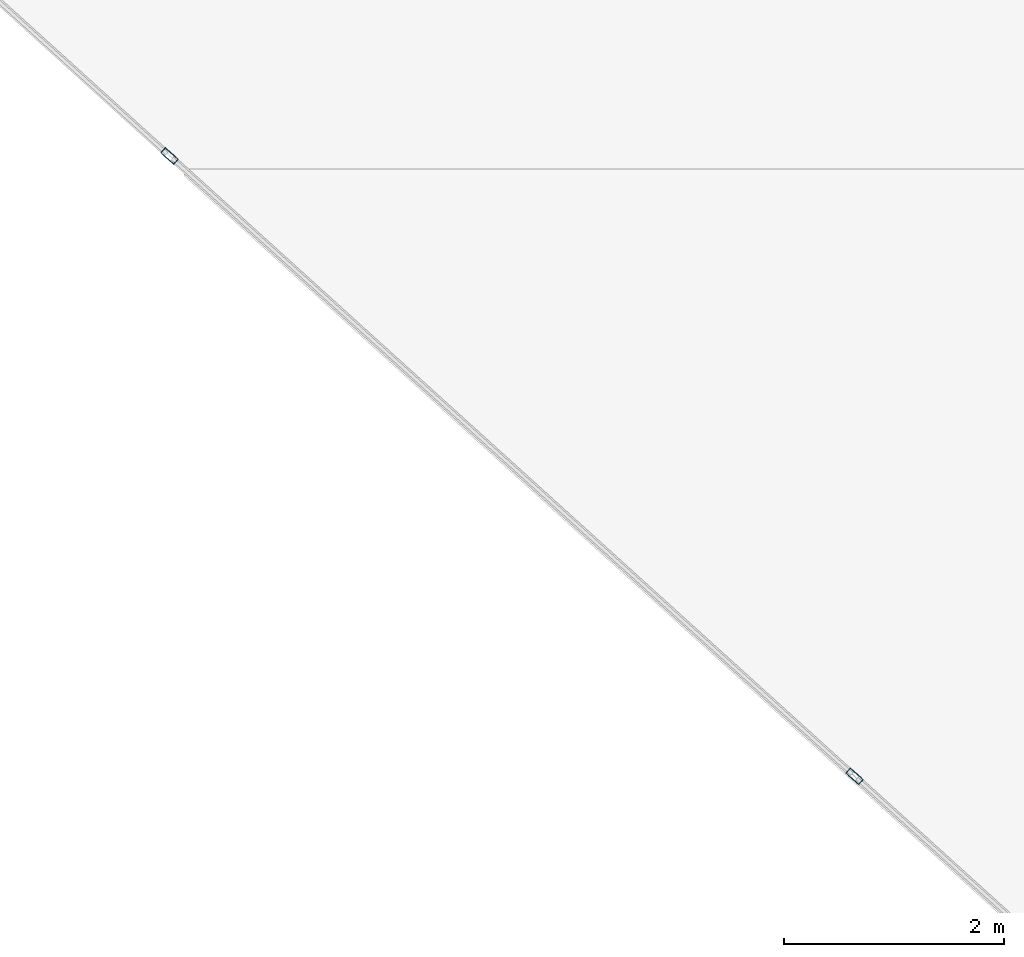
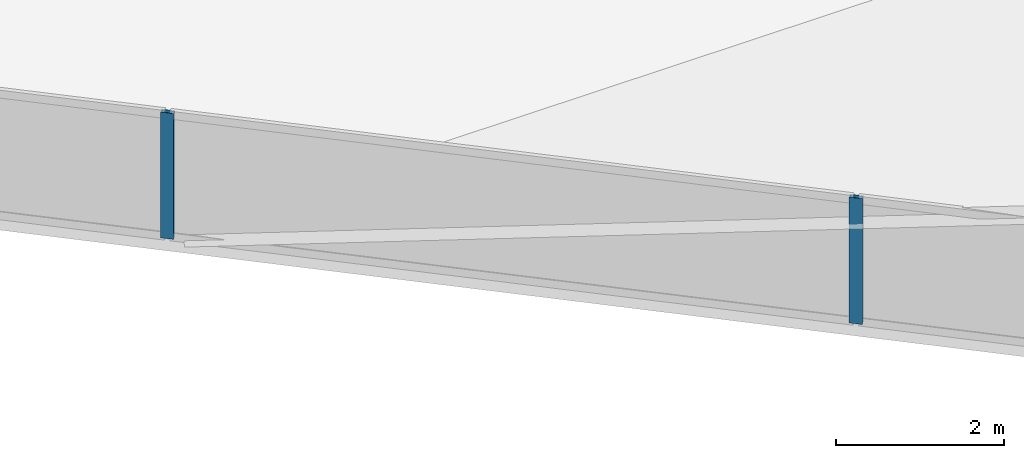
# One storey, part 3 of 13: 2 members, 1 element without a shape of its own.
"""IFC4 building model written with IfcOpenShell, lengths in metres."""

import ifcopenshell
import ifcopenshell.guid

model = None  # the IFC model being written
_history = None  # IfcOwnerHistory: only IFC2X3 demands one
_inside = {}  # id of a spatial element -> (the spatial element, [elements in it])
_under = {}  # id of a project, library or spatial element -> (it, [spatial elements below it])
_declared = {}  # id of a project -> (the project, [libraries it declares])
_typed = {}  # id of a type object -> (the type object, [elements of that type])
_made_of = {}  # id of a material, layer set ... -> (it, [elements and type objects made of it])


def new_model(schema):
    """Start an empty IFC model of exactly this schema.

    Asked for "IFC4X3", IfcOpenShell would pick the latest addendum, in which some entities
    have other attributes; the version numbers below select the first issue.
    IFC2X3 requires an IfcOwnerHistory on every rooted entity: one is made here for all.
    """
    global model, _history
    if schema == "IFC4X3":
        model = ifcopenshell.file(schema_version=(4, 3, 0, 0))
    else:
        model = ifcopenshell.file(schema=schema)
    _inside.clear()
    _under.clear()
    _declared.clear()
    _typed.clear()
    _made_of.clear()
    _history = None
    if model.schema == "IFC2X3":
        org = make("IfcOrganization", Name="unknown")
        user = make(
            "IfcPersonAndOrganization",
            ThePerson=make("IfcPerson", FamilyName="unknown"),
            TheOrganization=org,
        )
        app = make(
            "IfcApplication",
            ApplicationDeveloper=org,
            Version="unknown",
            ApplicationFullName="unknown",
            ApplicationIdentifier="unknown",
        )
        _history = make(
            "IfcOwnerHistory",
            OwningUser=user,
            OwningApplication=app,
            ChangeAction="ADDED",
            CreationDate=0,
        )
    return model


def make(cls, **values):
    """One entity of the class cls with the attributes given. An attribute that is None is left unset."""
    return model.create_entity(
        cls, **{name: value for name, value in values.items() if value is not None}
    )


def rooted(cls, **values):
    """An entity with a GlobalId (a new one), such as an element, a storey or a relation."""
    return make(cls, GlobalId=ifcopenshell.guid.new(), OwnerHistory=_history, **values)


def si_unit(unit_type, name, prefix=None):
    """IfcSIUnit, for example si_unit("LENGTHUNIT", "METRE", prefix="MILLI")."""
    return make("IfcSIUnit", UnitType=unit_type, Prefix=prefix, Name=name)


def assignment(units):
    """IfcUnitAssignment: the units of a project."""
    return None if units is None else make("IfcUnitAssignment", Units=units)


def point(xyz):
    """IfcCartesianPoint."""
    return None if xyz is None else make("IfcCartesianPoint", Coordinates=xyz)


def direction(xyz):
    """IfcDirection."""
    return None if xyz is None else make("IfcDirection", DirectionRatios=xyz)


def frame(location, z_axis=None, x_axis=None):
    """IfcAxis2Placement3D, a coordinate frame: its origin and axes. An axis left out is left unset."""
    return make(
        "IfcAxis2Placement3D",
        Location=point(location),
        Axis=direction(z_axis),
        RefDirection=direction(x_axis),
    )


def frame_2d(location, x_axis=None):
    """IfcAxis2Placement2D, a coordinate frame in the plane: its origin and x axis."""
    return make(
        "IfcAxis2Placement2D", Location=point(location), RefDirection=direction(x_axis)
    )


def origin():
    """The frame at (0, 0, 0) with its axes left unset."""
    return frame((0.0, 0.0, 0.0))


def origin_2d():
    """The frame at (0, 0) in the plane with its x axis left unset."""
    return frame_2d((0.0, 0.0))


def place(relative_to, where):
    """IfcLocalPlacement: puts the frame where relative to a parent placement (None: the world)."""
    return make(
        "IfcLocalPlacement", PlacementRelTo=relative_to, RelativePlacement=where
    )


def context(
    kind, dimensions, precision=None, world=None, true_north=None, identifier=None
):
    """IfcGeometricRepresentationContext, for example the 3D "Model" context."""
    return make(
        "IfcGeometricRepresentationContext",
        ContextIdentifier=identifier,
        ContextType=kind,
        CoordinateSpaceDimension=dimensions,
        Precision=precision,
        WorldCoordinateSystem=world,
        TrueNorth=true_north,
    )


def subcontext(parent, identifier, kind, view, scale=None):
    """IfcGeometricRepresentationSubContext, for example "Body" below "Model"."""
    return make(
        "IfcGeometricRepresentationSubContext",
        ContextIdentifier=identifier,
        ContextType=kind,
        ParentContext=parent,
        TargetScale=scale,
        TargetView=view,
    )


def project(units=None, contexts=None):
    """IfcProject with its units and contexts."""
    return rooted(
        "IfcProject",
        Name="project",
        RepresentationContexts=contexts,
        UnitsInContext=assignment(units),
    )


def spatial(cls, under=None, at=None, **own):
    """A site, building, storey or space (cls), placed at a placement, below another one or the project."""
    s = rooted(cls, ObjectPlacement=at, **own)
    if under is not None:
        _under.setdefault(under.id(), (under, []))[1].append(s)
    return s


def profile(cls, at=None, kind="AREA", **sizes):
    """A parametric profile (cls). Its sizes go by their IFC names, for example OverallWidth=200.0."""
    return make(cls, ProfileType=kind, Position=at, **sizes)


def hollow_rectangle(**sizes):
    """IfcRectangleHollowProfileDef."""
    return profile("IfcRectangleHollowProfileDef", **sizes)


def extrude(swept, where, along, depth):
    """IfcExtrudedAreaSolid: the profile swept, set in the frame where, extruded along a direction by depth."""
    return make(
        "IfcExtrudedAreaSolid",
        SweptArea=swept,
        Position=where,
        ExtrudedDirection=direction(along),
        Depth=depth,
    )


def shape(context_of_items, identifier, shape_type, items):
    """IfcShapeRepresentation: the items that make up one representation, for example the "Body"."""
    return make(
        "IfcShapeRepresentation",
        ContextOfItems=context_of_items,
        RepresentationIdentifier=identifier,
        RepresentationType=shape_type,
        Items=items,
    )


def material(Name=None, Category=None):
    """IfcMaterial."""
    return make("IfcMaterial", Name=Name, Category=Category)


def layer(
    of_material, thickness, ventilated=None, Name=None, Category=None, Priority=None
):
    """IfcMaterialLayer: one layer of a wall or slab, of a material (None: an air gap)."""
    return make(
        "IfcMaterialLayer",
        Material=of_material,
        LayerThickness=thickness,
        IsVentilated=ventilated,
        Name=Name,
        Category=Category,
        Priority=Priority,
    )


def layer_set(layers, Name=None):
    """IfcMaterialLayerSet."""
    return make("IfcMaterialLayerSet", MaterialLayers=layers, LayerSetName=Name)


def material_profile(
    of_material, cross_section, Name=None, Category=None, Priority=None
):
    """IfcMaterialProfile: a cross section and its material."""
    return make(
        "IfcMaterialProfile",
        Name=Name,
        Material=of_material,
        Profile=cross_section,
        Priority=Priority,
        Category=Category,
    )


def profile_set(profiles, Name=None, composite=None):
    """IfcMaterialProfileSet."""
    return make(
        "IfcMaterialProfileSet",
        Name=Name,
        MaterialProfiles=profiles,
        CompositeProfile=composite,
    )


def made_of(thing, what):
    """Note that an element or type object is made of a material, layer set ...; save() writes the relation."""
    if what is not None:
        _made_of.setdefault(what.id(), (what, []))[1].append(thing)
    return thing


def type_object(cls, material=None, **own):
    """A type object (cls), such as IfcWallType, which elements share."""
    return made_of(rooted(cls, **own), material)


def element(
    cls,
    number,
    at=None,
    inside=None,
    cuts=None,
    type_object=None,
    material=None,
    context=None,
    identifier="Body",
    shape_type=None,
    held_by="IfcProductDefinitionShape",
    body=None,
    shapes=None,
    **own,
):
    """One element of the class cls, such as IfcWall. Its Tag is "e" and its number.

    at: its placement. inside: the storey or other place that contains it. cuts: it is an
    opening in that element (IfcRelVoidsElement). A single representation is given by context,
    identifier, shape_type and body (its items); several are given by shapes. held_by: the class
    of the entity that holds the representations. save() writes the other relations.
    """
    e = rooted(cls, Tag="e%d" % number, ObjectPlacement=at, **own)
    if body is not None:
        shapes = [shape(context, identifier, shape_type, body)]
    if shapes is not None:
        e.Representation = make(held_by, Representations=shapes)
    if inside is not None:
        _inside.setdefault(inside.id(), (inside, []))[1].append(e)
    if cuts is not None:
        rooted(
            "IfcRelVoidsElement", RelatingBuildingElement=cuts, RelatedOpeningElement=e
        )
    if type_object is not None:
        _typed.setdefault(type_object.id(), (type_object, []))[1].append(e)
    return made_of(e, material)


def aggregate(whole, parts):
    """IfcRelAggregates: a whole, such as a stair, and the parts it consists of."""
    return rooted("IfcRelAggregates", RelatingObject=whole, RelatedObjects=parts)


def save(model, path):
    """Write the relations noted so far, then the file.

    IfcRelAggregates (storeys below a building ...), IfcRelContainedInSpatialStructure (elements
    in a storey), IfcRelDefinesByType, IfcRelAssociatesMaterial and IfcRelDeclares: one each for
    every whole, place, type object, material and project.
    """
    for whole, parts in _under.values():
        aggregate(whole, parts)
    for where, things in _inside.values():
        rooted(
            "IfcRelContainedInSpatialStructure",
            RelatedElements=things,
            RelatingStructure=where,
        )
    for kind, things in _typed.values():
        rooted("IfcRelDefinesByType", RelatedObjects=things, RelatingType=kind)
    for what, things in _made_of.values():
        rooted("IfcRelAssociatesMaterial", RelatedObjects=things, RelatingMaterial=what)
    for by, libraries in _declared.values():
        rooted("IfcRelDeclares", RelatingContext=by, RelatedDefinitions=libraries)
    model.write(path)


model = new_model("IFC4")

# Units and contexts
model_context = context("Model", 3, precision=1e-05, world=origin(), true_north=direction((0.0, 1.0)))
body_context = subcontext(model_context, "Body", "Model", "MODEL_VIEW")
ifc_project = project(units=[si_unit("LENGTHUNIT", "METRE"), si_unit("AREAUNIT", "SQUARE_METRE"), si_unit("VOLUMEUNIT", "CUBIC_METRE"), si_unit("PLANEANGLEUNIT", "RADIAN"), si_unit("MASSUNIT", "GRAM", prefix="KILO")], contexts=[model_context])

# Site, building, storey
site_placement = place(None, origin())
site = spatial("IfcSite", under=ifc_project, at=site_placement, CompositionType="ELEMENT")
building_placement = place(site_placement, origin())
building = spatial("IfcBuilding", under=site, at=building_placement, Name="Qianvela Tower", CompositionType="ELEMENT")
storey_placement = place(building_placement, frame((0.0, 0.0, 375.050048828125)))
storey = spatial("IfcBuildingStorey", under=building, at=storey_placement, Name="L97", CompositionType="ELEMENT", Elevation=375.050048828125)

# Curtain wall, members
ifc_material_1 = material(Name="Anodised Architectural Aluminium and Low-E Glass", Category="aluminium")
ifc_layer = layer(ifc_material_1, 0.159912109375)
ifc_layer_set = layer_set([ifc_layer], Name="Anodised Architectural Aluminium and Low-E Glass")
curtain_wall_type = type_object("IfcCurtainWallType", Name="CW-CROWN", PredefinedType="USERDEFINED", material=ifc_layer_set)
curtain_wall_placement = place(storey_placement, origin())
curtain_wall = element("IfcCurtainWall", 1, at=curtain_wall_placement, inside=storey, type_object=curtain_wall_type, Name="L97 CW-CROWN Curtain Wall 04", ObjectType="CURTAIN_WALL_SYSTEM", PredefinedType="USERDEFINED")
ifc_material_2 = material(Name="Anodised Architectural Aluminium 6063-T6", Category="aluminium")
ifc_material_profile = material_profile(ifc_material_2, hollow_rectangle(XDim=0.06494140625, YDim=0.159912109375, WallThickness=0.0048828125, at=origin_2d()), Name="ALU-MULL-65x160")
ifc_profile_set = profile_set([ifc_material_profile], Name="Anodised Architectural Aluminium 6063-T6")
member_type = type_object("IfcMemberType", Name="CW-CROWN-MULL", PredefinedType="MULLION", material=ifc_profile_set)
member_1_placement = place(storey_placement, frame((26.5068359375, 20.1181640625, 0.0), z_axis=(0.0, 0.0, 1.0), x_axis=(0.671200098707, 0.741276215385, 0.0)))
member_1 = element("IfcMember", 2, at=member_1_placement, type_object=member_type, Name="CW-8 mullion 2", PredefinedType="MULLION", context=body_context, shape_type="SweptSolid", body=[
    extrude(hollow_rectangle(XDim=0.06494140625, YDim=0.159912109375, WallThickness=0.0048828125, at=origin_2d()), origin(), (0.0, 0.0, 1.0), 1.831787109375),
])
member_2_placement = place(storey_placement, frame((32.73486328125, 14.478759765625, 0.0), z_axis=(0.0, 0.0, 1.0), x_axis=(0.671200098707, 0.741276215385, 0.0)))
member_2 = element("IfcMember", 3, at=member_2_placement, type_object=member_type, Name="CW-8 mullion 3", PredefinedType="MULLION", context=body_context, shape_type="SweptSolid", body=[
    extrude(hollow_rectangle(XDim=0.06494140625, YDim=0.159912109375, WallThickness=0.0048828125, at=origin_2d()), origin(), (0.0, 0.0, 1.0), 1.831787109375),
])
aggregate(curtain_wall, [member_1, member_2])

save(model, "model.ifc")
